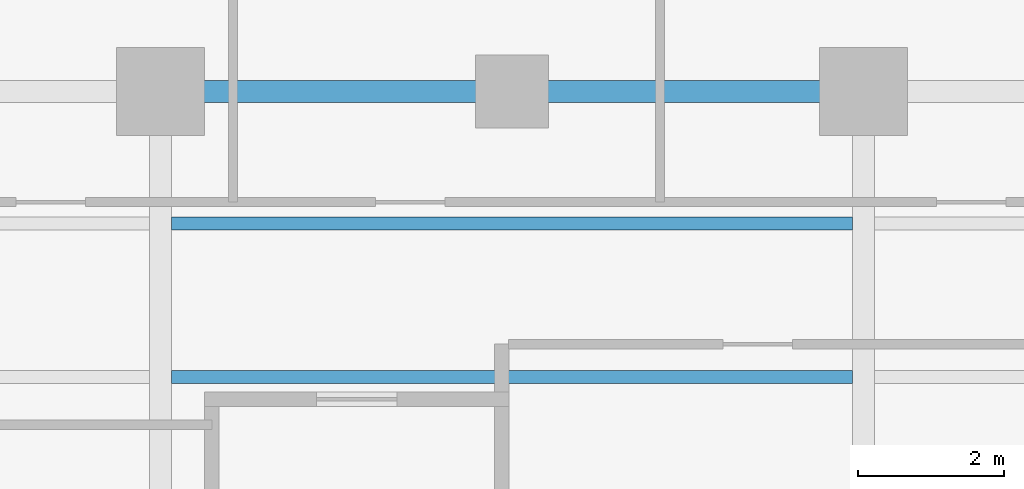
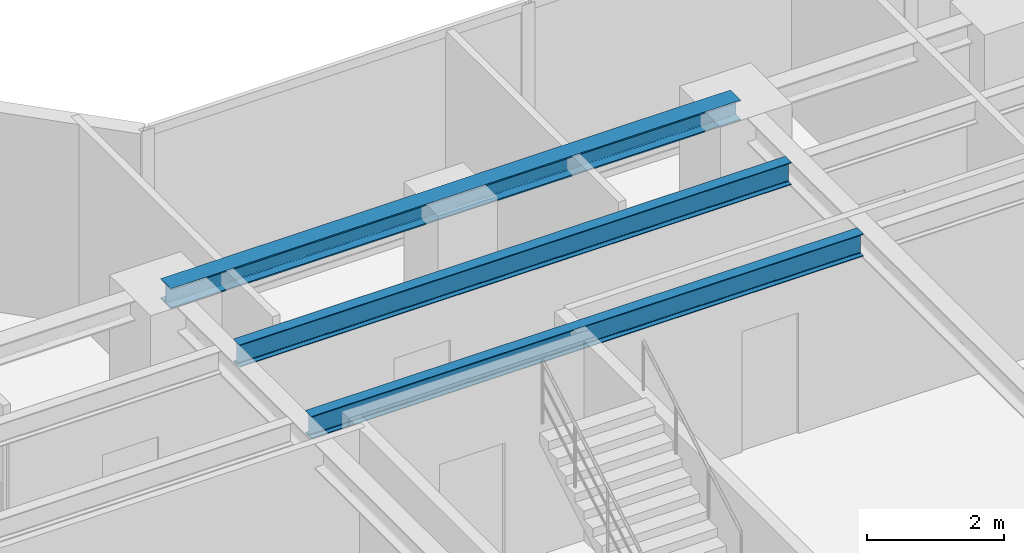
# One storey, part 5 of 26: 3 beams.
"""IFC4 building model written with IfcOpenShell, lengths in metres."""

from ifc_helpers import new_model, si_unit, direction, frame, origin, origin_2d, place, context, subcontext, project, spatial, i_section, extrude, material, material_profile, profile_set, type_object, element, save


model = new_model("IFC4")

# Units and contexts
model_context = context("Model", 3, precision=1e-05, world=origin(), true_north=direction((0.0, 1.0)))
body_context = subcontext(model_context, "Body", "Model", "MODEL_VIEW")
ifc_project = project(units=[si_unit("LENGTHUNIT", "METRE"), si_unit("AREAUNIT", "SQUARE_METRE"), si_unit("VOLUMEUNIT", "CUBIC_METRE"), si_unit("PLANEANGLEUNIT", "RADIAN"), si_unit("MASSUNIT", "GRAM", prefix="KILO")], contexts=[model_context])

# Site, building, storey
site_placement = place(None, origin())
site = spatial("IfcSite", under=ifc_project, at=site_placement, CompositionType="ELEMENT")
building_placement = place(site_placement, origin())
building = spatial("IfcBuilding", under=site, at=building_placement, Name="Kolvaren Waterfront Exchange", CompositionType="ELEMENT")
storey_placement = place(building_placement, frame((0.0, 0.0, 150.0)))
storey = spatial("IfcBuildingStorey", under=building, at=storey_placement, Name="L38", CompositionType="ELEMENT", Elevation=150.0)

# Beams
ifc_material = material(Name="Steel S355", Category="steel")
ifc_material_profile_1 = material_profile(ifc_material, i_section(OverallWidth=0.300048828125, OverallDepth=0.360107421875, WebThickness=0.012451171875, FlangeThickness=0.0224609375, FilletRadius=0.027099609375, at=origin_2d()), Name="HEB360")
ifc_profile_set_1 = profile_set([ifc_material_profile_1], Name="Steel S355")
beam_type_1 = type_object("IfcBeamType", Name="STR-BM-HEB360", PredefinedType="SPANDREL", material=ifc_profile_set_1)
beam_placement = place(storey_placement, frame((27.199951171875, 17.39990234375, 3.3798828125), z_axis=(1.0, 0.0, 0.0), x_axis=(0.0, 1.0, 0.0)))
element("IfcBeam", 1, at=beam_placement, inside=storey, type_object=beam_type_1, Name="L38 east-arm spandrel N2", PredefinedType="SPANDREL", context=body_context, shape_type="SweptSolid", body=[
    extrude(i_section(OverallWidth=0.300048828125, OverallDepth=0.360107421875, WebThickness=0.012451171875, FlangeThickness=0.0224609375, FilletRadius=0.027099609375, at=origin_2d()), origin(), (0.0, 0.0, 1.0), 9.60009765625),
])
ifc_material_profile_2 = material_profile(ifc_material, i_section(OverallWidth=0.179931640625, OverallDepth=0.39990234375, WebThickness=0.008544921875, FlangeThickness=0.013427734375, FilletRadius=0.02099609375, at=origin_2d()), Name="IPE400")
ifc_profile_set_2 = profile_set([ifc_material_profile_2], Name="Steel S355")
beam_type_2 = type_object("IfcBeamType", Name="STR-BM-IPE400", PredefinedType="JOIST", material=ifc_profile_set_2)
for number, where, z_axis, x_axis, name in (
    (2, (27.35205078125, 13.5, 3.360107421875), (1.0, 0.0, 0.0), (0.0, 1.0, 0.0), "L38 east-arm composite joist 2A"),
    (3, (27.35205078125, 15.60009765625, 3.360107421875), (1.0, 0.0, 0.0), (0.0, 1.0, 0.0), "L38 east-arm composite joist 2C"),
):
    element("IfcBeam", number, at=place(storey_placement, frame(where, z_axis=z_axis, x_axis=x_axis)), inside=storey, type_object=beam_type_2, Name=name, PredefinedType="JOIST", context=body_context, shape_type="SweptSolid", body=[
        extrude(i_section(OverallWidth=0.179931640625, OverallDepth=0.39990234375, WebThickness=0.008544921875, FlangeThickness=0.013427734375, FilletRadius=0.02099609375, at=origin_2d()), origin(), (0.0, 0.0, 1.0), 9.2958984375),
    ])

save(model, "model.ifc")
